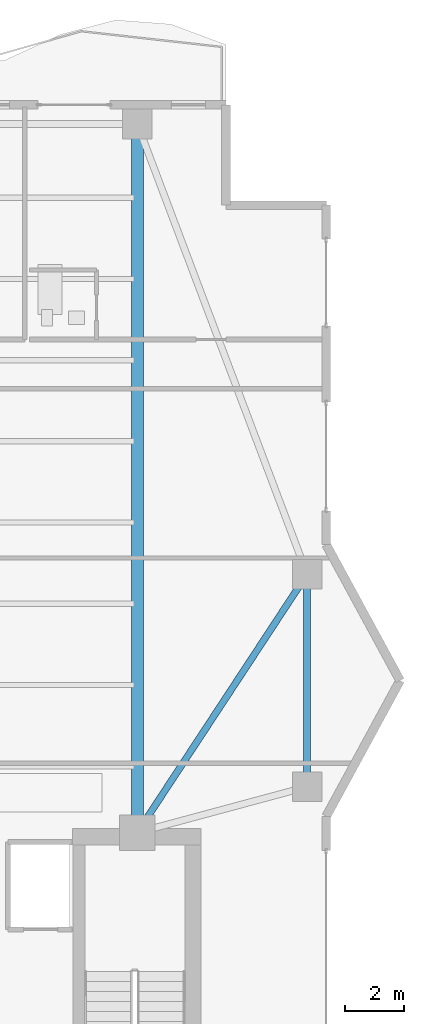
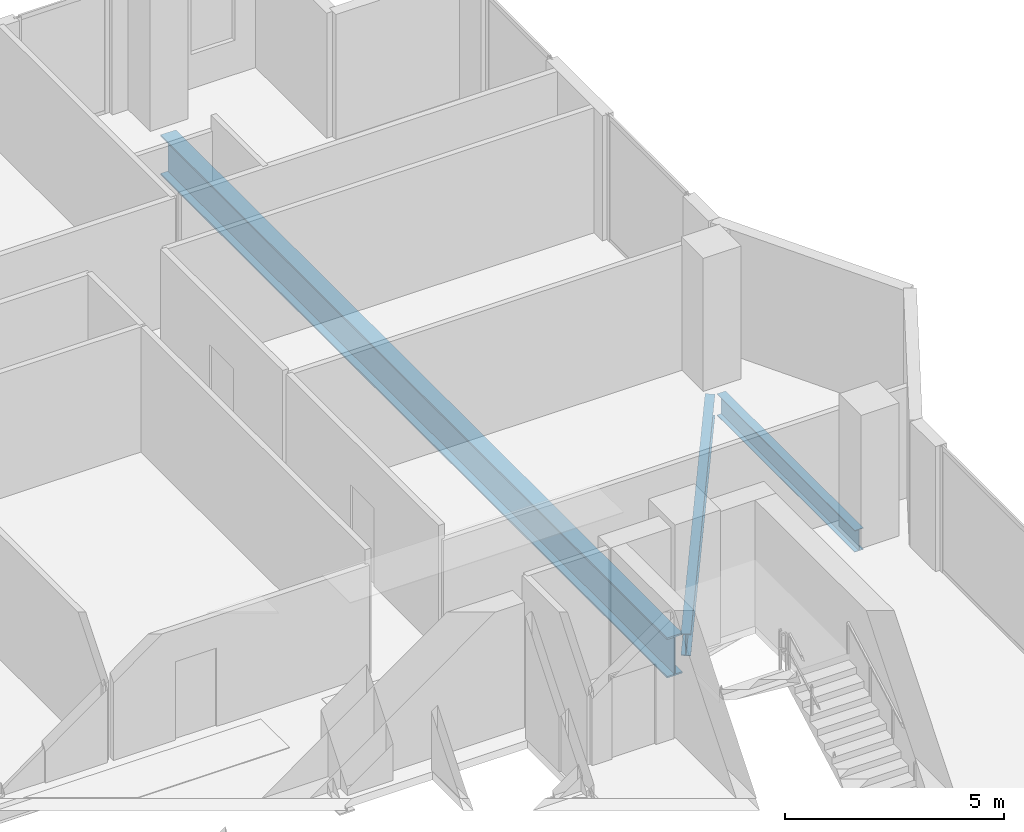
# One storey, part 10 of 25: 3 beams.
"""IFC4 building model written with IfcOpenShell, lengths in metres."""

from ifc_helpers import new_model, si_unit, direction, frame, origin, origin_2d, place, context, subcontext, project, spatial, i_section, extrude, material, material_profile, profile_set, type_object, element, save


model = new_model("IFC4")

# Units and contexts
model_context = context("Model", 3, precision=1e-05, world=origin(), true_north=direction((0.0, 1.0)))
body_context = subcontext(model_context, "Body", "Model", "MODEL_VIEW")
ifc_project = project(units=[si_unit("LENGTHUNIT", "METRE"), si_unit("AREAUNIT", "SQUARE_METRE"), si_unit("VOLUMEUNIT", "CUBIC_METRE"), si_unit("PLANEANGLEUNIT", "RADIAN"), si_unit("MASSUNIT", "GRAM", prefix="KILO")], contexts=[model_context])

# Site, building, storey
site_placement = place(None, origin())
site = spatial("IfcSite", under=ifc_project, at=site_placement, CompositionType="ELEMENT")
building_placement = place(site_placement, origin())
building = spatial("IfcBuilding", under=site, at=building_placement, Name="Zuhayl Quay Hotel", CompositionType="ELEMENT")
storey_placement = place(building_placement, frame((0.0, 0.0, 250.75)))
storey = spatial("IfcBuildingStorey", under=building, at=storey_placement, Name="L63", CompositionType="ELEMENT", Elevation=250.75)

# Beams
ifc_material_1 = material(Name="Steel ASTM A992 Grade 50", Category="steel")
ifc_material_profile_1 = material_profile(ifc_material_1, i_section(OverallWidth=0.22802734375, OverallDepth=0.60693359375, WebThickness=0.01123046875, FlangeThickness=0.017333984375, at=origin_2d()), Name="W24X76")
ifc_profile_set_1 = profile_set([ifc_material_profile_1], Name="Steel ASTM A992 Grade 50")
beam_type_1 = type_object("IfcBeamType", Name="BM_B3_W24X76", PredefinedType="BEAM", material=ifc_profile_set_1)
beam_1_placement = place(storey_placement, frame((19.550048828125, 16.360107421875, -0.5234375), z_axis=(0.0, 1.0, 0.0), x_axis=(-1.0, 0.0, 0.0)))
element("IfcBeam", 1, at=beam_1_placement, inside=storey, type_object=beam_type_1, Name="L63 Floor Beam RG_L63_05", PredefinedType="BEAM", context=body_context, shape_type="SweptSolid", body=[
    extrude(i_section(OverallWidth=0.22802734375, OverallDepth=0.60693359375, WebThickness=0.01123046875, FlangeThickness=0.017333984375, at=origin_2d()), origin(), (0.0, 0.0, 1.0), 6.27978515625),
])
beam_2_placement = place(storey_placement, frame((14.047119140625, 14.72607421875, -0.5234375), z_axis=(0.549177886661, 0.835705479701, 0.0), x_axis=(-0.835705479701, 0.549177886661, 0.0)))
element("IfcBeam", 2, at=beam_2_placement, inside=storey, type_object=beam_type_1, Name="L63 Floor Beam FG_E_L63_2", PredefinedType="BEAM", context=body_context, shape_type="SweptSolid", body=[
    extrude(i_section(OverallWidth=0.22802734375, OverallDepth=0.60693359375, WebThickness=0.01123046875, FlangeThickness=0.017333984375, at=origin_2d()), origin(), (0.0, 0.0, 1.0), 9.560302734375),
])
ifc_material_2 = material(Name="Steel ASTM A913 Grade 65", Category="steel")
ifc_material_profile_2 = material_profile(ifc_material_2, i_section(OverallWidth=0.404052734375, OverallDepth=1.117919921875, WebThickness=0.026123046875, FlangeThickness=0.044921875, at=origin_2d()), Name="W44X335")
ifc_profile_set_2 = profile_set([ifc_material_profile_2], Name="Steel ASTM A913 Grade 65")
beam_type_2 = type_object("IfcBeamType", Name="BM_TG1_W44X335", PredefinedType="BEAM", material=ifc_profile_set_2)
beam_3_placement = place(storey_placement, frame((13.800048828125, 14.800048828125, -0.779052734375), z_axis=(0.0, 1.0, 0.0), x_axis=(-1.0, 0.0, 0.0)))
element("IfcBeam", 3, at=beam_3_placement, inside=storey, type_object=beam_type_2, Name="L63 Floor Beam FG_N_L63_4", PredefinedType="BEAM", context=body_context, shape_type="SweptSolid", body=[
    extrude(i_section(OverallWidth=0.404052734375, OverallDepth=1.117919921875, WebThickness=0.026123046875, FlangeThickness=0.044921875, at=origin_2d()), origin(), (0.0, 0.0, 1.0), 23.08984375),
])

save(model, "model.ifc")
